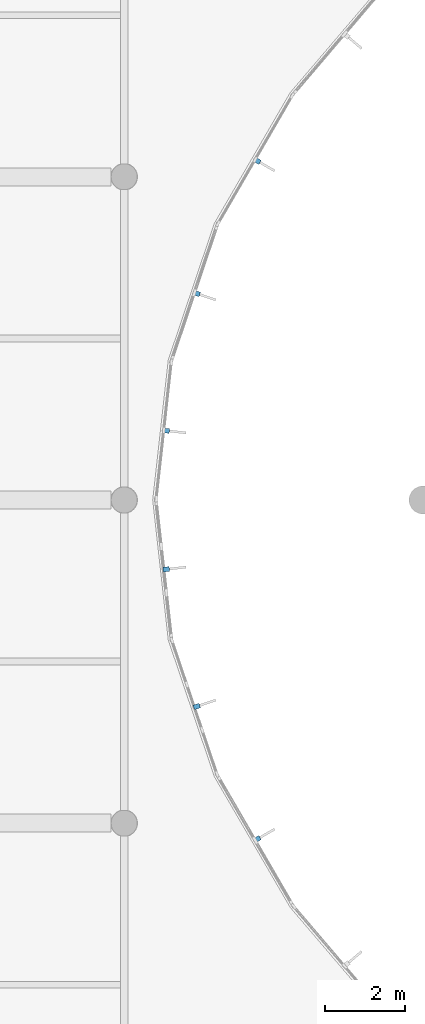
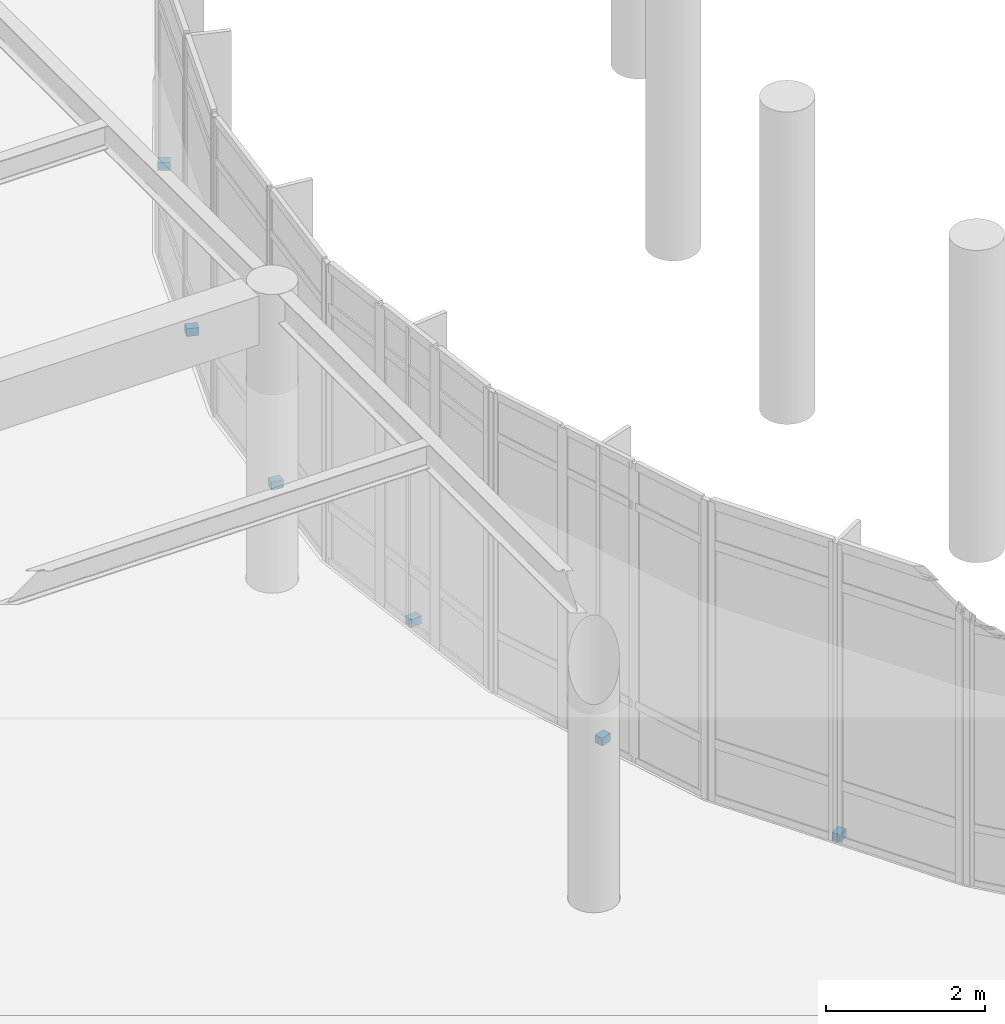
# One storey, part 57 of 92: 6 discrete accessories.
"""IFC4 building model written with IfcOpenShell, lengths in metres."""

from ifc_helpers import new_model, si_unit, direction, frame, origin, origin_2d, place, context, subcontext, project, spatial, rectangle, extrude, material, type_object, element, save


model = new_model("IFC4")

# Units and contexts
model_context = context("Model", 3, precision=1e-05, world=origin(), true_north=direction((0.0, 1.0)))
body_context = subcontext(model_context, "Body", "Model", "MODEL_VIEW")
ifc_project = project(units=[si_unit("LENGTHUNIT", "METRE"), si_unit("AREAUNIT", "SQUARE_METRE"), si_unit("VOLUMEUNIT", "CUBIC_METRE"), si_unit("PLANEANGLEUNIT", "RADIAN"), si_unit("MASSUNIT", "GRAM", prefix="KILO")], contexts=[model_context])

# Site, building, storey
site_placement = place(None, origin())
site = spatial("IfcSite", under=ifc_project, at=site_placement, CompositionType="ELEMENT")
building_placement = place(site_placement, origin())
building = spatial("IfcBuilding", under=site, at=building_placement, Name="Namkhue Oval Health Centre", CompositionType="ELEMENT")
storey_placement = place(building_placement, frame((0.0, 0.0, 4.800048828125)))
storey = spatial("IfcBuildingStorey", under=building, at=storey_placement, Name="L01", CompositionType="ELEMENT", Elevation=4.800048828125)

# Discrete accessories
ifc_material = material(Name="Structural steel S355JR (TCVN CCT38)", Category="steel")
discrete_accessory_type = type_object("IfcDiscreteAccessoryType", Name="FACADE SHADING BRACKET", PredefinedType="BRACKET", material=ifc_material)
for number, where, z_axis, x_axis, name in (
    (1, (68.135498046875, 50.900146484375, 0.0), (0.0, 0.0, 1.0), (0.864976307593, 0.501812701416, 0.0), "Solar Fin Bracket 29"),
    (2, (66.619384765625, 54.22509765625, 0.0), (0.0, 0.0, 1.0), (0.947545503457, 0.319620898688, 0.0), "Solar Fin Bracket 30"),
    (3, (65.85302734375, 57.66259765625, 0.0), (0.0, 0.0, 1.0), (0.993903362457, 0.110254732764, 0.0), "Solar Fin Bracket 31"),
    (4, (65.85302734375, 61.137451171875, 0.0), (0.0, 0.0, 1.0), (0.993903362457, -0.110254732764, 0.0), "Solar Fin Bracket 32"),
    (5, (66.619384765625, 64.57470703125, 0.0), (0.0, 0.0, 1.0), (0.947545503457, -0.319620898688, 0.0), "Solar Fin Bracket 33"),
    (6, (68.135498046875, 67.89990234375, 0.0), (0.0, 0.0, 1.0), (0.864976307593, -0.501812701416, 0.0), "Solar Fin Bracket 34"),
):
    element("IfcDiscreteAccessory", number, at=place(storey_placement, frame(where, z_axis=z_axis, x_axis=x_axis)), inside=storey, type_object=discrete_accessory_type, Name=name, PredefinedType="BRACKET", context=body_context, shape_type="SweptSolid", body=[
        extrude(rectangle(XDim=0.159912109375, YDim=0.1201171875, at=origin_2d()), origin(), (0.0, 0.0, 1.0), 0.1201171875),
    ])

save(model, "model.ifc")
